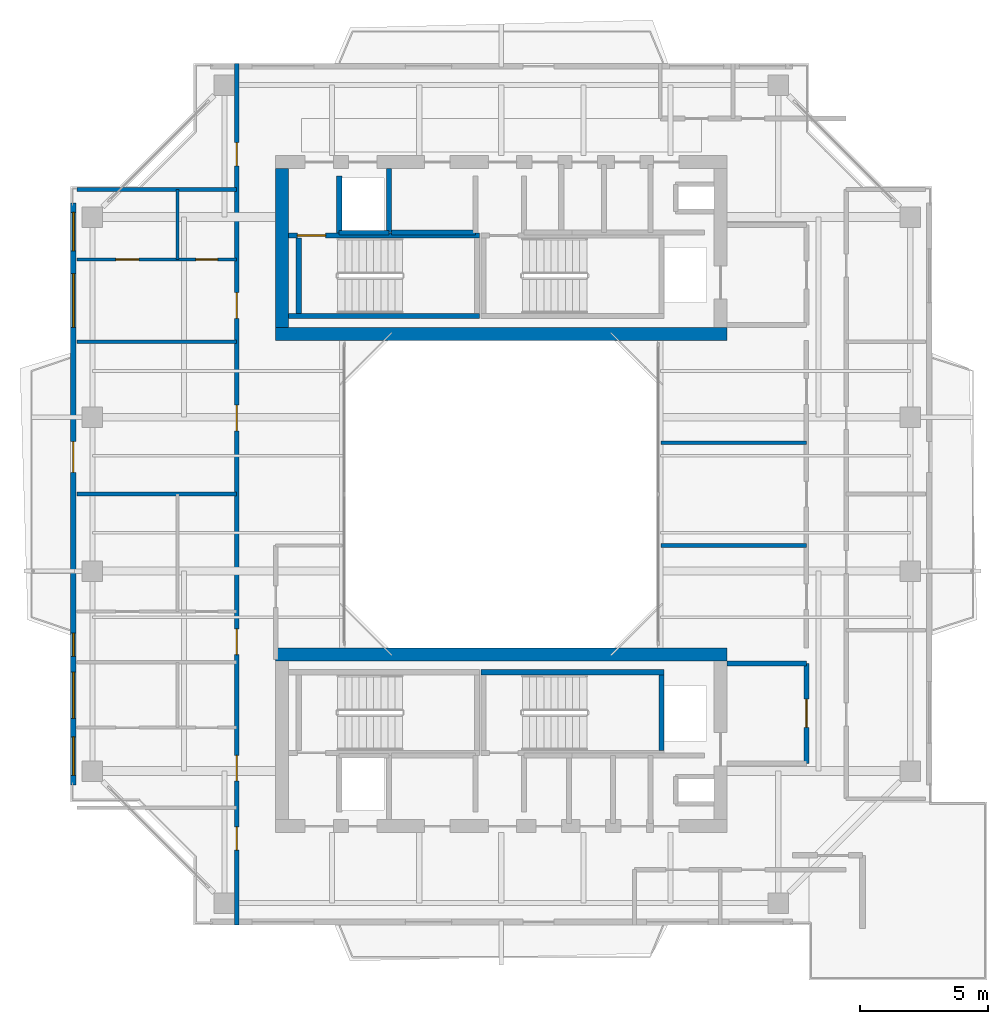
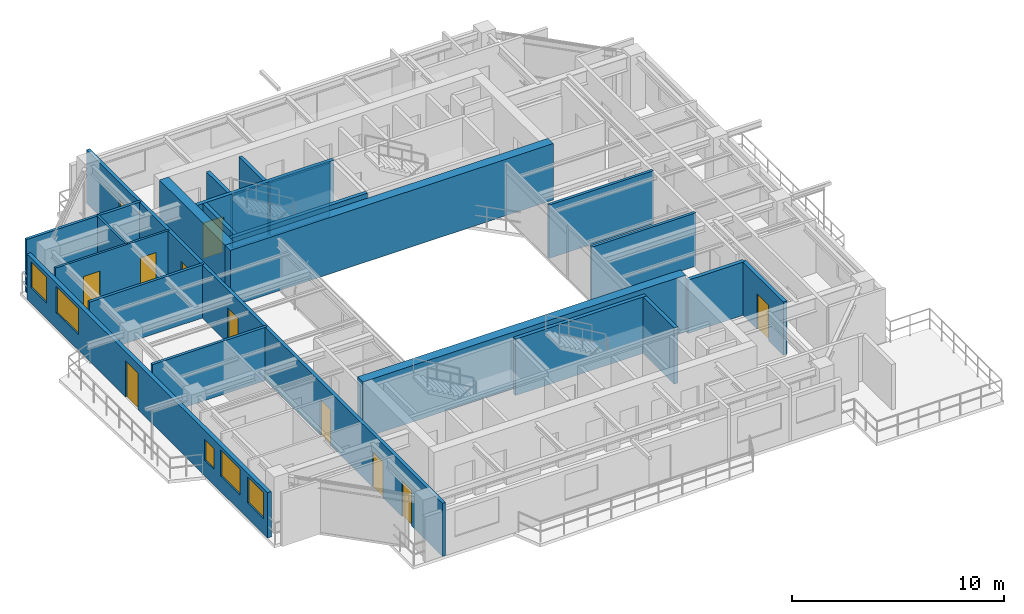
# One storey, part 11 of 15: 23 walls, 11 doors, 5 windows, 16 openings.
"""IFC4 building model written with IfcOpenShell, lengths in metres."""

from ifc_helpers import new_model, si_unit, direction, frame, frame_2d, origin, place, context, subcontext, project, spatial, rectangle, extrude, source, transform, mapped, material, layer, layer_set, type_object, element, fill, save


model = new_model("IFC4")

# Units and contexts
model_context = context("Model", 3, precision=1e-05, world=origin(), true_north=direction((0.0, 1.0)))
body_context = subcontext(model_context, "Body", "Model", "MODEL_VIEW")
ifc_project = project(units=[si_unit("LENGTHUNIT", "METRE"), si_unit("AREAUNIT", "SQUARE_METRE"), si_unit("VOLUMEUNIT", "CUBIC_METRE"), si_unit("PLANEANGLEUNIT", "RADIAN"), si_unit("MASSUNIT", "GRAM", prefix="KILO"), si_unit("THERMODYNAMICTEMPERATUREUNIT", "KELVIN"), si_unit("POWERUNIT", "WATT")], contexts=[model_context])

# Site, building, storey
site_placement = place(None, origin())
site = spatial("IfcSite", under=ifc_project, at=site_placement, CompositionType="ELEMENT")
building_placement = place(site_placement, origin())
building = spatial("IfcBuilding", under=site, at=building_placement, Name="Qiaomeng Ring Towers", CompositionType="ELEMENT")
storey_placement = place(building_placement, frame((0.0, 0.0, 213.25)))
storey = spatial("IfcBuildingStorey", under=building, at=storey_placement, Name="L62", CompositionType="ELEMENT", Elevation=213.25)

# Wall, openings, windows, door
ifc_material_1 = material(Name="Precast concrete C40", Category="concrete")
ifc_layer_1 = layer(ifc_material_1, 0.219970703125, Name="Precast concrete C40")
ifc_layer_set_1 = layer_set([ifc_layer_1], Name="Precast concrete C40")
wall_type_1 = type_object("IfcWallType", Name="ARC-WL-EW2", PredefinedType="STANDARD", material=ifc_layer_set_1)
wall_1_placement = place(storey_placement, frame((2.31005859375, 11.64990234375, 0.0), z_axis=(0.0, 0.0, 1.0), x_axis=(0.0, 1.0, 0.0)))
wall_1 = element("IfcWall", 1, at=wall_1_placement, inside=storey, type_object=wall_type_1, Name="L62 Tower 1 W Exterior Wall", PredefinedType="STANDARD", context=body_context, shape_type="SweptSolid", body=[
    extrude(rectangle(XDim=22.7001953125, YDim=0.219970703125, at=frame_2d((11.35009765625, 0.0))), origin(), (0.0, 0.0, 1.0), 2.610107421875),
])
opening_1_placement = place(wall_1_placement, frame((12.199951171875, 0.0, 0.0)))
opening_1 = element("IfcOpeningElement", 2, at=opening_1_placement, cuts=wall_1, Name="Opening BD1", PredefinedType="OPENING", context=body_context, shape_type="SweptSolid", body=[
    extrude(rectangle(XDim=1.199951171875, YDim=2.10009765625, at=frame_2d((0.60009765625, 1.050048828125))), frame((0.0, 0.119873046875, 0.0), z_axis=(0.0, -1.0, 0.0), x_axis=(1.0, 0.0, 0.0)), (0.0, 0.0, 1.0), 0.239990234375),
])
opening_2_placement = place(wall_1_placement, frame((2.607421875, 0.0, 0.89990234375)))
opening_2 = element("IfcOpeningElement", 3, at=opening_2_placement, cuts=wall_1, Name="Opening WN1", PredefinedType="OPENING", context=body_context, shape_type="SweptSolid", body=[
    extrude(rectangle(XDim=1.800048828125, YDim=1.5, at=frame_2d((0.89990234375, 0.75))), frame((0.0, 0.119873046875, 0.0), z_axis=(0.0, -1.0, 0.0), x_axis=(1.0, 0.0, 0.0)), (0.0, 0.0, 1.0), 0.239990234375),
])
opening_3_placement = place(wall_1_placement, frame((17.8525390625, 0.0, 0.89990234375)))
opening_3 = element("IfcOpeningElement", 4, at=opening_3_placement, cuts=wall_1, Name="Opening WN4", PredefinedType="OPENING", context=body_context, shape_type="SweptSolid", body=[
    extrude(rectangle(XDim=2.10009765625, YDim=1.5, at=frame_2d((1.050048828125, 0.75))), frame((0.0, 0.119873046875, 0.0), z_axis=(0.0, -1.0, 0.0), x_axis=(1.0, 0.0, 0.0)), (0.0, 0.0, 1.0), 0.239990234375),
])
opening_4_placement = place(wall_1_placement, frame((0.385009765625, 0.0, 0.89990234375)))
opening_4 = element("IfcOpeningElement", 5, at=opening_4_placement, cuts=wall_1, Name="Opening WN2", PredefinedType="OPENING", context=body_context, shape_type="SweptSolid", body=[
    extrude(rectangle(XDim=1.5, YDim=1.5, at=frame_2d((0.75, 0.75))), frame((0.0, 0.119873046875, 0.0), z_axis=(0.0, -1.0, 0.0), x_axis=(1.0, 0.0, 0.0)), (0.0, 0.0, 1.0), 0.239990234375),
])
opening_5_placement = place(wall_1_placement, frame((20.8349609375, 0.0, 0.89990234375)))
opening_5 = element("IfcOpeningElement", 6, at=opening_5_placement, cuts=wall_1, Name="Opening WN2", PredefinedType="OPENING", context=body_context, shape_type="SweptSolid", body=[
    extrude(rectangle(XDim=1.5, YDim=1.5, at=frame_2d((0.75, 0.75))), frame((0.0, 0.119873046875, 0.0), z_axis=(0.0, -1.0, 0.0), x_axis=(1.0, 0.0, 0.0)), (0.0, 0.0, 1.0), 0.239990234375),
])
opening_6_placement = place(wall_1_placement, frame((5.02490234375, 0.0, 0.89990234375)))
opening_6 = element("IfcOpeningElement", 7, at=opening_6_placement, cuts=wall_1, Name="Opening WN5", PredefinedType="OPENING", context=body_context, shape_type="SweptSolid", body=[
    extrude(rectangle(XDim=0.89990234375, YDim=1.199951171875, at=frame_2d((0.449951171875, 0.60009765625))), frame((0.0, 0.119873046875, 0.0), z_axis=(0.0, -1.0, 0.0), x_axis=(1.0, 0.0, 0.0)), (0.0, 0.0, 1.0), 0.239990234375),
])
ifc_material_2 = material(Name="Low-E dark-grey laminated double glazing", Category="glass")
window_type_1 = type_object("IfcWindowType", Name="ARC-WN-4", PartitioningType="TRIPLE_PANEL_VERTICAL", PredefinedType="WINDOW", material=ifc_material_2)
shared_shape_1 = source(origin(), body_context, "Body", "SweptSolid", [
    extrude(rectangle(XDim=2.10009765625, YDim=1.5, at=frame_2d((1.050048828125, 0.75))), frame((0.0, 0.030029296875, 0.0), z_axis=(0.0, -1.0, 0.0), x_axis=(1.0, 0.0, 0.0)), (0.0, 0.0, 1.0), 0.06005859375),
])
window_1_placement = place(opening_3_placement, origin())
window_1 = element("IfcWindow", 8, at=window_1_placement, inside=storey, type_object=window_type_1, Name="L62 Exterior Window WN4", OverallHeight=1.5, OverallWidth=2.10009765625, PartitioningType="TRIPLE_PANEL_VERTICAL", PredefinedType="WINDOW", context=body_context, shape_type="MappedRepresentation", body=[
    mapped(shared_shape_1, transform((0.0, 0.0, 0.0), x_axis=(1.0, 0.0, 0.0), y_axis=(0.0, 1.0, 0.0), z_axis=(0.0, 0.0, 1.0), scale=1.0)),
])
fill(opening_3, window_1)
door_type_1 = type_object("IfcDoorType", Name="ARC-DR-BD1", OperationType="NOTDEFINED", PredefinedType="DOOR", material=ifc_material_2)
shared_shape_2 = source(origin(), body_context, "Body", "SweptSolid", [
    extrude(rectangle(XDim=1.199951171875, YDim=2.10009765625, at=frame_2d((0.60009765625, 1.050048828125))), frame((0.0, 0.02490234375, 0.0), z_axis=(0.0, -1.0, 0.0), x_axis=(1.0, 0.0, 0.0)), (0.0, 0.0, 1.0), 0.050048828125),
])
door_1_placement = place(opening_1_placement, frame((1.199951171875, 0.0, 0.0), z_axis=(0.0, 0.0, 1.0), x_axis=(-1.0, 0.0, 0.0)))
door_1 = element("IfcDoor", 9, at=door_1_placement, inside=storey, type_object=door_type_1, Name="L62 W Balcony Glazed Door", OperationType="SINGLE_SWING_LEFT", OverallHeight=2.10009765625, OverallWidth=1.199951171875, PredefinedType="DOOR", context=body_context, shape_type="MappedRepresentation", body=[
    mapped(shared_shape_2, transform((0.0, 0.0, 0.0), x_axis=(1.0, 0.0, 0.0), y_axis=(0.0, 1.0, 0.0), z_axis=(0.0, 0.0, 1.0), scale=1.0)),
])
fill(opening_1, door_1)
window_type_2 = type_object("IfcWindowType", Name="ARC-WN-2", PartitioningType="DOUBLE_PANEL_VERTICAL", PredefinedType="WINDOW", material=ifc_material_2)
shared_shape_3 = source(origin(), body_context, "Body", "SweptSolid", [
    extrude(rectangle(XDim=1.5, YDim=1.5, at=frame_2d((0.75, 0.75))), frame((0.0, 0.030029296875, 0.0), z_axis=(0.0, -1.0, 0.0), x_axis=(1.0, 0.0, 0.0)), (0.0, 0.0, 1.0), 0.06005859375),
])
window_2_placement = place(opening_4_placement, origin())
window_2 = element("IfcWindow", 10, at=window_2_placement, inside=storey, type_object=window_type_2, Name="L62 Exterior Window WN2", OverallHeight=1.5, OverallWidth=1.5, PartitioningType="DOUBLE_PANEL_VERTICAL", PredefinedType="WINDOW", context=body_context, shape_type="MappedRepresentation", body=[
    mapped(shared_shape_3, transform((0.0, 0.0, 0.0), x_axis=(1.0, 0.0, 0.0), y_axis=(0.0, 1.0, 0.0), z_axis=(0.0, 0.0, 1.0), scale=1.0)),
])
fill(opening_4, window_2)
window_3_placement = place(opening_5_placement, origin())
window_3 = element("IfcWindow", 11, at=window_3_placement, inside=storey, type_object=window_type_2, Name="L62 Exterior Window WN2", OverallHeight=1.5, OverallWidth=1.5, PartitioningType="DOUBLE_PANEL_VERTICAL", PredefinedType="WINDOW", context=body_context, shape_type="MappedRepresentation", body=[
    mapped(shared_shape_3, transform((0.0, 0.0, 0.0), x_axis=(1.0, 0.0, 0.0), y_axis=(0.0, 1.0, 0.0), z_axis=(0.0, 0.0, 1.0), scale=1.0)),
])
fill(opening_5, window_3)
window_type_3 = type_object("IfcWindowType", Name="ARC-WN-1", PartitioningType="DOUBLE_PANEL_VERTICAL", PredefinedType="WINDOW", material=ifc_material_2)
shared_shape_4 = source(origin(), body_context, "Body", "SweptSolid", [
    extrude(rectangle(XDim=1.800048828125, YDim=1.5, at=frame_2d((0.89990234375, 0.75))), frame((0.0, 0.030029296875, 0.0), z_axis=(0.0, -1.0, 0.0), x_axis=(1.0, 0.0, 0.0)), (0.0, 0.0, 1.0), 0.06005859375),
])
window_4_placement = place(opening_2_placement, origin())
window_4 = element("IfcWindow", 12, at=window_4_placement, inside=storey, type_object=window_type_3, Name="L62 Exterior Window WN6", OverallHeight=1.5, OverallWidth=1.800048828125, PartitioningType="TRIPLE_PANEL_VERTICAL", PredefinedType="WINDOW", context=body_context, shape_type="MappedRepresentation", body=[
    mapped(shared_shape_4, transform((0.0, 0.0, 0.0), x_axis=(1.0, 0.0, 0.0), y_axis=(0.0, 1.0, 0.0), z_axis=(0.0, 0.0, 1.0), scale=1.0)),
])
fill(opening_2, window_4)
window_type_4 = type_object("IfcWindowType", Name="ARC-WN-5", PartitioningType="SINGLE_PANEL", PredefinedType="WINDOW", material=ifc_material_2)
shared_shape_5 = source(origin(), body_context, "Body", "SweptSolid", [
    extrude(rectangle(XDim=0.89990234375, YDim=1.199951171875, at=frame_2d((0.449951171875, 0.60009765625))), frame((0.0, 0.030029296875, 0.0), z_axis=(0.0, -1.0, 0.0), x_axis=(1.0, 0.0, 0.0)), (0.0, 0.0, 1.0), 0.06005859375),
])
window_5_placement = place(opening_6_placement, origin())
window_5 = element("IfcWindow", 13, at=window_5_placement, inside=storey, type_object=window_type_4, Name="L62 Exterior Window WN5", OverallHeight=1.199951171875, OverallWidth=0.89990234375, PartitioningType="SINGLE_PANEL", PredefinedType="WINDOW", context=body_context, shape_type="MappedRepresentation", body=[
    mapped(shared_shape_5, transform((0.0, 0.0, 0.0), x_axis=(1.0, 0.0, 0.0), y_axis=(0.0, 1.0, 0.0), z_axis=(0.0, 0.0, 1.0), scale=1.0)),
])
fill(opening_6, window_5)

# Wall
ifc_material_3 = material(Name="Autoclaved aerated concrete block", Category="concrete")
ifc_layer_2 = layer(ifc_material_3, 0.199951171875, Name="Autoclaved aerated concrete block")
ifc_layer_set_2 = layer_set([ifc_layer_2], Name="Autoclaved aerated concrete block")
wall_type_2 = type_object("IfcWallType", Name="ARC-WL-PW1", PredefinedType="PARTITIONING", material=ifc_layer_set_2)
wall_2_placement = place(storey_placement, frame((27.800048828125, 16.39990234375, 0.0), z_axis=(0.0, 0.0, 1.0), x_axis=(1.0, 0.0, 0.0)))
element("IfcWall", 14, at=wall_2_placement, inside=storey, type_object=wall_type_2, Name="L62 Interior Wall PW1", PredefinedType="PARTITIONING", context=body_context, shape_type="SweptSolid", body=[
    extrude(rectangle(XDim=3.099853515625, YDim=0.199951171875, at=frame_2d((1.5498046875, 0.0))), origin(), (0.0, 0.0, 1.0), 3.070068359375),
])

# Wall, opening, door
wall_3_placement = place(storey_placement, frame((30.89990234375, 12.5, 0.0), z_axis=(0.0, 0.0, 1.0), x_axis=(0.0, 1.0, 0.0)))
wall_3 = element("IfcWall", 15, at=wall_3_placement, inside=storey, type_object=wall_type_2, Name="L62 Interior Wall PW1", PredefinedType="PARTITIONING", context=body_context, shape_type="SweptSolid", body=[
    extrude(rectangle(XDim=3.89990234375, YDim=0.199951171875, at=frame_2d((1.949951171875, 0.0))), origin(), (0.0, 0.0, 1.0), 3.070068359375),
])
opening_7_placement = place(wall_3_placement, frame((1.39990234375, 0.0, 0.0)))
opening_7 = element("IfcOpeningElement", 16, at=opening_7_placement, cuts=wall_3, Name="Opening FD3", PredefinedType="OPENING", context=body_context, shape_type="SweptSolid", body=[
    extrude(rectangle(XDim=1.10009765625, YDim=2.050048828125, at=frame_2d((0.550048828125, 1.02490234375))), frame((0.0, 0.10986328125, 0.0), z_axis=(0.0, -1.0, 0.0), x_axis=(1.0, 0.0, 0.0)), (0.0, 0.0, 1.0), 0.219970703125),
])
ifc_material_4 = material(Name="Galvanised steel", Category="steel")
door_type_2 = type_object("IfcDoorType", Name="ARC-DR-FD3", OperationType="NOTDEFINED", PredefinedType="DOOR", material=ifc_material_4)
shared_shape_6 = source(origin(), body_context, "Body", "SweptSolid", [
    extrude(rectangle(XDim=1.10009765625, YDim=2.050048828125, at=frame_2d((0.550048828125, 1.02490234375))), frame((0.0, 0.02490234375, 0.0), z_axis=(0.0, -1.0, 0.0), x_axis=(1.0, 0.0, 0.0)), (0.0, 0.0, 1.0), 0.050048828125),
])
door_2_placement = place(opening_7_placement, origin())
door_2 = element("IfcDoor", 17, at=door_2_placement, inside=storey, type_object=door_type_2, Name="L62 South FF Lobby Door", OperationType="SINGLE_SWING_RIGHT", OverallHeight=2.050048828125, OverallWidth=1.10009765625, PredefinedType="DOOR", context=body_context, shape_type="MappedRepresentation", body=[
    mapped(shared_shape_6, transform((0.0, 0.0, 0.0), x_axis=(1.0, 0.0, 0.0), y_axis=(0.0, 1.0, 0.0), z_axis=(0.0, 0.0, 1.0), scale=1.0)),
])
fill(opening_7, door_2)

# Walls
wall_4_placement = place(storey_placement, frame((12.679931640625, 33.18994140625, 0.0), z_axis=(0.0, 0.0, 1.0), x_axis=(0.0, 1.0, 0.0)))
element("IfcWall", 18, at=wall_4_placement, inside=storey, type_object=wall_type_2, Name="L62 Interior Wall PW1", PredefinedType="PARTITIONING", context=body_context, shape_type="SweptSolid", body=[
    extrude(rectangle(XDim=2.2099609375, YDim=0.199951171875, at=frame_2d((1.10498046875, 0.0))), origin(), (0.0, 0.0, 1.0), 3.070068359375),
])
wall_5_placement = place(storey_placement, frame((14.719970703125, 33.199951171875, 0.0), z_axis=(0.0, 0.0, 1.0), x_axis=(1.0, 0.0, 0.0)))
element("IfcWall", 19, at=wall_5_placement, inside=storey, type_object=wall_type_2, Name="L62 Interior Wall PW1", PredefinedType="PARTITIONING", context=body_context, shape_type="SweptSolid", body=[
    extrude(rectangle(XDim=3.280029296875, YDim=0.199951171875, at=frame_2d((1.64013671875, 0.0))), origin(), (0.0, 0.0, 1.0), 3.070068359375),
])

# Wall, openings, doors
ifc_layer_3 = layer(ifc_material_3, 0.179931640625, Name="Autoclaved aerated concrete block")
ifc_layer_set_3 = layer_set([ifc_layer_3], Name="Autoclaved aerated concrete block")
wall_type_3 = type_object("IfcWallType", Name="ARC-WL-PW2", PredefinedType="PARTITIONING", material=ifc_layer_set_3)
wall_6_placement = place(storey_placement, frame((8.679931640625, 6.199951171875, 0.0), z_axis=(0.0, 0.0, 1.0), x_axis=(0.0, 1.0, 0.0)))
wall_6 = element("IfcWall", 20, at=wall_6_placement, inside=storey, type_object=wall_type_3, Name="L62 Interior Wall PW2", PredefinedType="PARTITIONING", context=body_context, shape_type="SweptSolid", body=[
    extrude(rectangle(XDim=33.60009765625, YDim=0.179931640625, at=frame_2d((16.800048828125, 0.0))), origin(), (0.0, 0.0, 1.0), 3.070068359375),
])
opening_8_placement = place(wall_6_placement, frame((29.60498046875, 0.0, 0.0)))
opening_8 = element("IfcOpeningElement", 21, at=opening_8_placement, cuts=wall_6, Name="Opening ID1", PredefinedType="OPENING", context=body_context, shape_type="SweptSolid", body=[
    extrude(rectangle(XDim=0.89990234375, YDim=2.050048828125, at=frame_2d((0.449951171875, 1.02490234375))), frame((0.0, 0.099853515625, 0.0), z_axis=(0.0, -1.0, 0.0), x_axis=(1.0, 0.0, 0.0)), (0.0, 0.0, 1.0), 0.199951171875),
])
opening_9_placement = place(wall_6_placement, frame((2.919921875, 0.0, 0.0)))
opening_9 = element("IfcOpeningElement", 22, at=opening_9_placement, cuts=wall_6, Name="Opening ID1", PredefinedType="OPENING", context=body_context, shape_type="SweptSolid", body=[
    extrude(rectangle(XDim=0.89990234375, YDim=2.050048828125, at=frame_2d((0.449951171875, 1.02490234375))), frame((0.0, 0.099853515625, 0.0), z_axis=(0.0, -1.0, 0.0), x_axis=(1.0, 0.0, 0.0)), (0.0, 0.0, 1.0), 0.199951171875),
])
opening_10_placement = place(wall_6_placement, frame((5.614990234375, 0.0, 0.0)))
opening_10 = element("IfcOpeningElement", 23, at=opening_10_placement, cuts=wall_6, Name="Opening FD4", PredefinedType="OPENING", context=body_context, shape_type="SweptSolid", body=[
    extrude(rectangle(XDim=1.0, YDim=2.050048828125, at=frame_2d((0.5, 1.02490234375))), frame((0.0, 0.099853515625, 0.0), z_axis=(0.0, -1.0, 0.0), x_axis=(1.0, 0.0, 0.0)), (0.0, 0.0, 1.0), 0.199951171875),
])
opening_11_placement = place(wall_6_placement, frame((10.5400390625, 0.0, 0.0)))
opening_11 = element("IfcOpeningElement", 24, at=opening_11_placement, cuts=wall_6, Name="Opening FD4", PredefinedType="OPENING", context=body_context, shape_type="SweptSolid", body=[
    extrude(rectangle(XDim=1.0, YDim=2.050048828125, at=frame_2d((0.5, 1.02490234375))), frame((0.0, 0.099853515625, 0.0), z_axis=(0.0, -1.0, 0.0), x_axis=(1.0, 0.0, 0.0)), (0.0, 0.0, 1.0), 0.199951171875),
])
opening_12_placement = place(wall_6_placement, frame((19.27001953125, 0.0, 0.0)))
opening_12 = element("IfcOpeningElement", 25, at=opening_12_placement, cuts=wall_6, Name="Opening FD4", PredefinedType="OPENING", context=body_context, shape_type="SweptSolid", body=[
    extrude(rectangle(XDim=1.0, YDim=2.050048828125, at=frame_2d((0.5, 1.02490234375))), frame((0.0, 0.099853515625, 0.0), z_axis=(0.0, -1.0, 0.0), x_axis=(1.0, 0.0, 0.0)), (0.0, 0.0, 1.0), 0.199951171875),
])
opening_13_placement = place(wall_6_placement, frame((23.655029296875, 0.0, 0.0)))
opening_13 = element("IfcOpeningElement", 26, at=opening_13_placement, cuts=wall_6, Name="Opening FD4", PredefinedType="OPENING", context=body_context, shape_type="SweptSolid", body=[
    extrude(rectangle(XDim=1.0, YDim=2.050048828125, at=frame_2d((0.5, 1.02490234375))), frame((0.0, 0.099853515625, 0.0), z_axis=(0.0, -1.0, 0.0), x_axis=(1.0, 0.0, 0.0)), (0.0, 0.0, 1.0), 0.199951171875),
])
ifc_material_5 = material(Name="Engineered fire-rated oak timber", Category="wood")
door_type_3 = type_object("IfcDoorType", Name="ARC-DR-FD4", OperationType="NOTDEFINED", PredefinedType="DOOR", material=ifc_material_5)
shared_shape_7 = source(origin(), body_context, "Body", "SweptSolid", [
    extrude(rectangle(XDim=1.0, YDim=2.050048828125, at=frame_2d((0.5, 1.02490234375))), frame((0.0, 0.02490234375, 0.0), z_axis=(0.0, -1.0, 0.0), x_axis=(1.0, 0.0, 0.0)), (0.0, 0.0, 1.0), 0.050048828125),
])
door_3_placement = place(opening_10_placement, origin())
door_3 = element("IfcDoor", 27, at=door_3_placement, inside=storey, type_object=door_type_3, Name="L62 Door FD4", OperationType="SINGLE_SWING_LEFT", OverallHeight=2.050048828125, OverallWidth=1.0, PredefinedType="DOOR", context=body_context, shape_type="MappedRepresentation", body=[
    mapped(shared_shape_7, transform((0.0, 0.0, 0.0), x_axis=(1.0, 0.0, 0.0), y_axis=(0.0, 1.0, 0.0), z_axis=(0.0, 0.0, 1.0), scale=1.0)),
])
fill(opening_10, door_3)
door_4_placement = place(opening_11_placement, origin())
door_4 = element("IfcDoor", 28, at=door_4_placement, inside=storey, type_object=door_type_3, Name="L62 Door FD4", OperationType="SINGLE_SWING_RIGHT", OverallHeight=2.050048828125, OverallWidth=1.0, PredefinedType="DOOR", context=body_context, shape_type="MappedRepresentation", body=[
    mapped(shared_shape_7, transform((0.0, 0.0, 0.0), x_axis=(1.0, 0.0, 0.0), y_axis=(0.0, 1.0, 0.0), z_axis=(0.0, 0.0, 1.0), scale=1.0)),
])
fill(opening_11, door_4)
door_5_placement = place(opening_12_placement, origin())
door_5 = element("IfcDoor", 29, at=door_5_placement, inside=storey, type_object=door_type_3, Name="L62 Door FD4", OperationType="SINGLE_SWING_LEFT", OverallHeight=2.050048828125, OverallWidth=1.0, PredefinedType="DOOR", context=body_context, shape_type="MappedRepresentation", body=[
    mapped(shared_shape_7, transform((0.0, 0.0, 0.0), x_axis=(1.0, 0.0, 0.0), y_axis=(0.0, 1.0, 0.0), z_axis=(0.0, 0.0, 1.0), scale=1.0)),
])
fill(opening_12, door_5)
door_6_placement = place(opening_13_placement, origin())
door_6 = element("IfcDoor", 30, at=door_6_placement, inside=storey, type_object=door_type_3, Name="L62 Door FD4", OperationType="SINGLE_SWING_RIGHT", OverallHeight=2.050048828125, OverallWidth=1.0, PredefinedType="DOOR", context=body_context, shape_type="MappedRepresentation", body=[
    mapped(shared_shape_7, transform((0.0, 0.0, 0.0), x_axis=(1.0, 0.0, 0.0), y_axis=(0.0, 1.0, 0.0), z_axis=(0.0, 0.0, 1.0), scale=1.0)),
])
fill(opening_13, door_6)
ifc_material_6 = material(Name="Engineered oak timber", Category="wood")
door_type_4 = type_object("IfcDoorType", Name="ARC-DR-ID1", OperationType="NOTDEFINED", PredefinedType="DOOR", material=ifc_material_6)
shared_shape_8 = source(origin(), body_context, "Body", "SweptSolid", [
    extrude(rectangle(XDim=0.89990234375, YDim=2.050048828125, at=frame_2d((0.449951171875, 1.02490234375))), frame((0.0, 0.02490234375, 0.0), z_axis=(0.0, -1.0, 0.0), x_axis=(1.0, 0.0, 0.0)), (0.0, 0.0, 1.0), 0.050048828125),
])
door_7_placement = place(opening_8_placement, origin())
door_7 = element("IfcDoor", 31, at=door_7_placement, inside=storey, type_object=door_type_4, Name="L62 Door ID1", OperationType="SINGLE_SWING_LEFT", OverallHeight=2.050048828125, OverallWidth=0.89990234375, PredefinedType="DOOR", context=body_context, shape_type="MappedRepresentation", body=[
    mapped(shared_shape_8, transform((0.0, 0.0, 0.0), x_axis=(1.0, 0.0, 0.0), y_axis=(0.0, 1.0, 0.0), z_axis=(0.0, 0.0, 1.0), scale=1.0)),
])
fill(opening_8, door_7)
door_8_placement = place(opening_9_placement, origin())
door_8 = element("IfcDoor", 32, at=door_8_placement, inside=storey, type_object=door_type_4, Name="L62 Door ID1", OperationType="SINGLE_SWING_RIGHT", OverallHeight=2.050048828125, OverallWidth=0.89990234375, PredefinedType="DOOR", context=body_context, shape_type="MappedRepresentation", body=[
    mapped(shared_shape_8, transform((0.0, 0.0, 0.0), x_axis=(1.0, 0.0, 0.0), y_axis=(0.0, 1.0, 0.0), z_axis=(0.0, 0.0, 1.0), scale=1.0)),
])
fill(opening_9, door_8)

# Walls
ifc_material_7 = material(Name="Gypsum fireboard steel-stud partition", Category="steel")
ifc_layer_4 = layer(ifc_material_7, 0.14990234375, Name="Gypsum fireboard steel-stud partition")
ifc_layer_set_4 = layer_set([ifc_layer_4], Name="Gypsum fireboard steel-stud partition")
wall_type_4 = type_object("IfcWallType", Name="ARC-WL-PW3", PredefinedType="PARTITIONING", material=ifc_layer_set_4)
for number, where, z_axis, x_axis, name in (
    (33, (2.449951171875, 34.8798828125, 0.0), (0.0, 0.0, 1.0), (1.0, 0.0, 0.0), "L62 Interior Wall PW3"),
    (34, (2.449951171875, 23.0, 0.0), (0.0, 0.0, 1.0), (1.0, 0.0, 0.0), "L62 Interior Wall PW3"),
    (35, (2.449951171875, 28.93994140625, 0.0), (0.0, 0.0, 1.0), (1.0, 0.0, 0.0), "L62 Interior Wall PW3"),
):
    element("IfcWall", number, at=place(storey_placement, frame(where, z_axis=z_axis, x_axis=x_axis)), inside=storey, type_object=wall_type_4, Name=name, PredefinedType="PARTITIONING", context=body_context, shape_type="SweptSolid", body=[
        extrude(rectangle(XDim=6.22998046875, YDim=0.14990234375, at=frame_2d((3.114990234375, 0.0))), origin(), (0.0, 0.0, 1.0), 3.070068359375),
    ])
for number, where, z_axis, x_axis, name in (
    (36, (25.219970703125, 21.0, 0.0), (0.0, 0.0, 1.0), (1.0, 0.0, 0.0), "L62 Interior Wall PW3"),
    (37, (25.219970703125, 25.0, 0.0), (0.0, 0.0, 1.0), (1.0, 0.0, 0.0), "L62 Interior Wall PW3"),
):
    element("IfcWall", number, at=place(storey_placement, frame(where, z_axis=z_axis, x_axis=x_axis)), inside=storey, type_object=wall_type_4, Name=name, PredefinedType="PARTITIONING", context=body_context, shape_type="SweptSolid", body=[
        extrude(rectangle(XDim=5.679931640625, YDim=0.14990234375, at=frame_2d((2.83984375, 0.0))), origin(), (0.0, 0.0, 1.0), 3.070068359375),
    ])

# Wall, openings, doors
ifc_material_8 = material(Name="Moisture-resistant gypsum steel-stud partition", Category="steel")
ifc_layer_5 = layer(ifc_material_8, 0.1201171875, Name="Moisture-resistant gypsum steel-stud partition")
ifc_layer_set_5 = layer_set([ifc_layer_5], Name="Moisture-resistant gypsum steel-stud partition")
wall_type_5 = type_object("IfcWallType", Name="ARC-WL-PW4", PredefinedType="PLUMBINGWALL", material=ifc_layer_set_5)
wall_7_placement = place(storey_placement, frame((2.449951171875, 32.14990234375, 0.0), z_axis=(0.0, 0.0, 1.0), x_axis=(1.0, 0.0, 0.0)))
wall_7 = element("IfcWall", 38, at=wall_7_placement, inside=storey, type_object=wall_type_5, Name="L62 Interior Wall PW4", PredefinedType="PLUMBINGWALL", context=body_context, shape_type="SweptSolid", body=[
    extrude(rectangle(XDim=6.22998046875, YDim=0.1201171875, at=frame_2d((3.114990234375, 0.0))), origin(), (0.0, 0.0, 1.0), 3.070068359375),
])
opening_14_placement = place(wall_7_placement, frame((1.52001953125, 0.0, 0.0)))
opening_14 = element("IfcOpeningElement", 39, at=opening_14_placement, cuts=wall_7, Name="Opening ID1", PredefinedType="OPENING", context=body_context, shape_type="SweptSolid", body=[
    extrude(rectangle(XDim=0.89990234375, YDim=2.050048828125, at=frame_2d((0.449951171875, 1.02490234375))), frame((0.0, 0.070068359375, 0.0), z_axis=(0.0, -1.0, 0.0), x_axis=(1.0, 0.0, 0.0)), (0.0, 0.0, 1.0), 0.14013671875),
])
opening_15_placement = place(wall_7_placement, frame((4.639892578125, 0.0, 0.0)))
opening_15 = element("IfcOpeningElement", 40, at=opening_15_placement, cuts=wall_7, Name="Opening ID2", PredefinedType="OPENING", context=body_context, shape_type="SweptSolid", body=[
    extrude(rectangle(XDim=0.85009765625, YDim=2.050048828125, at=frame_2d((0.425048828125, 1.02490234375))), frame((0.0, 0.070068359375, 0.0), z_axis=(0.0, -1.0, 0.0), x_axis=(1.0, 0.0, 0.0)), (0.0, 0.0, 1.0), 0.14013671875),
])
ifc_material_9 = material(Name="Moisture-resistant engineered timber", Category="wood")
door_type_5 = type_object("IfcDoorType", Name="ARC-DR-ID2", OperationType="NOTDEFINED", PredefinedType="DOOR", material=ifc_material_9)
shared_shape_9 = source(origin(), body_context, "Body", "SweptSolid", [
    extrude(rectangle(XDim=0.85009765625, YDim=2.050048828125, at=frame_2d((0.425048828125, 1.02490234375))), frame((0.0, 0.02490234375, 0.0), z_axis=(0.0, -1.0, 0.0), x_axis=(1.0, 0.0, 0.0)), (0.0, 0.0, 1.0), 0.050048828125),
])
door_9_placement = place(opening_15_placement, origin())
door_9 = element("IfcDoor", 41, at=door_9_placement, inside=storey, type_object=door_type_5, Name="L62 Door ID2", OperationType="SINGLE_SWING_LEFT", OverallHeight=2.050048828125, OverallWidth=0.85009765625, PredefinedType="DOOR", context=body_context, shape_type="MappedRepresentation", body=[
    mapped(shared_shape_9, transform((0.0, 0.0, 0.0), x_axis=(1.0, 0.0, 0.0), y_axis=(0.0, 1.0, 0.0), z_axis=(0.0, 0.0, 1.0), scale=1.0)),
])
fill(opening_15, door_9)
door_10_placement = place(opening_14_placement, origin())
door_10 = element("IfcDoor", 42, at=door_10_placement, inside=storey, type_object=door_type_4, Name="L62 Door ID1", OperationType="SINGLE_SWING_RIGHT", OverallHeight=2.050048828125, OverallWidth=0.89990234375, PredefinedType="DOOR", context=body_context, shape_type="MappedRepresentation", body=[
    mapped(shared_shape_8, transform((0.0, 0.0, 0.0), x_axis=(1.0, 0.0, 0.0), y_axis=(0.0, 1.0, 0.0), z_axis=(0.0, 0.0, 1.0), scale=1.0)),
])
fill(opening_14, door_10)

# Walls
wall_8_placement = place(storey_placement, frame((6.3701171875, 32.14990234375, 0.0), z_axis=(0.0, 0.0, 1.0), x_axis=(0.0, 1.0, 0.0)))
element("IfcWall", 43, at=wall_8_placement, inside=storey, type_object=wall_type_5, Name="L62 Interior Wall PW4", PredefinedType="PLUMBINGWALL", context=body_context, shape_type="SweptSolid", body=[
    extrude(rectangle(XDim=2.72998046875, YDim=0.1201171875, at=frame_2d((1.364990234375, 0.0))), origin(), (0.0, 0.0, 1.0), 3.070068359375),
])
ifc_material_10 = material(Name="Concrete C40", Category="concrete")
ifc_layer_6 = layer(ifc_material_10, 0.199951171875, Name="Concrete C40")
ifc_layer_set_6 = layer_set([ifc_layer_6], Name="Concrete C40")
wall_type_6 = type_object("IfcWallType", Name="STR-WL-STSHAFT", PredefinedType="SHEAR", material=ifc_layer_set_6)
wall_9_placement = place(storey_placement, frame((12.679931640625, 33.199951171875, 0.0), z_axis=(0.0, 0.0, 1.0), x_axis=(1.0, 0.0, 0.0)))
element("IfcWall", 44, at=wall_9_placement, inside=storey, type_object=wall_type_6, Name="L62 Lift LP5 Shaft Back Wall", PredefinedType="SHEAR", context=body_context, shape_type="SweptSolid", body=[
    extrude(rectangle(XDim=1.940185546875, YDim=0.179931640625, at=frame_2d((0.97021484375, 0.0))), origin(), (0.0, 0.0, 1.0), 3.070068359375),
])
wall_10_placement = place(storey_placement, frame((14.6201171875, 33.199951171875, 0.0), z_axis=(0.0, 0.0, 1.0), x_axis=(0.0, 1.0, 0.0)))
element("IfcWall", 45, at=wall_10_placement, inside=storey, type_object=wall_type_6, Name="L62 Lift LP5-LP3 Shaft Divider Wall", PredefinedType="SHEAR", context=body_context, shape_type="SweptSolid", body=[
    extrude(rectangle(XDim=2.5, YDim=0.179931640625, at=frame_2d((1.25, 0.0))), origin(), (0.0, 0.0, 1.0), 3.070068359375),
])
wall_11_placement = place(storey_placement, frame((10.699951171875, 29.949951171875, 0.0), z_axis=(0.0, 0.0, 1.0), x_axis=(1.0, 0.0, 0.0)))
element("IfcWall", 46, at=wall_11_placement, inside=storey, type_object=wall_type_6, Name="L62 Stair ST1 South Shaft Shear Wall", PredefinedType="SHEAR", context=body_context, shape_type="SweptSolid", body=[
    extrude(rectangle(XDim=7.449951171875, YDim=0.199951171875, at=frame_2d((3.72509765625, 0.0))), origin(), (0.0, 0.0, 1.0), 3.25),
])

# Wall, opening, door
wall_12_placement = place(storey_placement, frame((10.699951171875, 33.090087890625, 0.0), z_axis=(0.0, 0.0, 1.0), x_axis=(1.0, 0.0, 0.0)))
wall_12 = element("IfcWall", 47, at=wall_12_placement, inside=storey, type_object=wall_type_6, Name="L62 Stair ST1 North Shaft Shear Wall", PredefinedType="SHEAR", context=body_context, shape_type="SweptSolid", body=[
    extrude(rectangle(XDim=7.449951171875, YDim=0.199951171875, at=frame_2d((3.72509765625, 0.0))), origin(), (0.0, 0.0, 1.0), 3.25),
])
opening_16_placement = place(wall_12_placement, frame((0.35009765625, 0.0, 0.0)))
opening_16 = element("IfcOpeningElement", 48, at=opening_16_placement, cuts=wall_12, Name="Opening FD3", PredefinedType="OPENING", context=body_context, shape_type="SweptSolid", body=[
    extrude(rectangle(XDim=1.10009765625, YDim=2.050048828125, at=frame_2d((0.550048828125, 1.02490234375))), frame((0.0, 0.10986328125, 0.0), z_axis=(0.0, -1.0, 0.0), x_axis=(1.0, 0.0, 0.0)), (0.0, 0.0, 1.0), 0.219970703125),
])
door_11_placement = place(opening_16_placement, origin())
door_11 = element("IfcDoor", 49, at=door_11_placement, inside=storey, type_object=door_type_2, Name="L62 Stair ST1 Exit Door", OperationType="SINGLE_SWING_RIGHT", OverallHeight=2.050048828125, OverallWidth=1.10009765625, PredefinedType="DOOR", context=body_context, shape_type="MappedRepresentation", body=[
    mapped(shared_shape_6, transform((0.0, 0.0, 0.0), x_axis=(1.0, 0.0, 0.0), y_axis=(0.0, 1.0, 0.0), z_axis=(0.0, 0.0, 1.0), scale=1.0)),
])
fill(opening_16, door_11)

# Walls
wall_13_placement = place(storey_placement, frame((11.10009765625, 30.050048828125, 0.0), z_axis=(0.0, 0.0, 1.0), x_axis=(0.0, 1.0, 0.0)))
element("IfcWall", 50, at=wall_13_placement, inside=storey, type_object=wall_type_6, Name="L62 Stair ST1 West Shaft Shear Wall", PredefinedType="SHEAR", context=body_context, shape_type="SweptSolid", body=[
    extrude(rectangle(XDim=2.93994140625, YDim=0.199951171875, at=frame_2d((1.469970703125, 0.0))), origin(), (0.0, 0.0, 1.0), 3.25),
])
wall_14_placement = place(storey_placement, frame((18.199951171875, 16.050048828125, 0.0), z_axis=(0.0, 0.0, 1.0), x_axis=(1.0, 0.0, 0.0)))
element("IfcWall", 51, at=wall_14_placement, inside=storey, type_object=wall_type_6, Name="L62 Stair ST4 North Shaft Shear Wall", PredefinedType="SHEAR", context=body_context, shape_type="SweptSolid", body=[
    extrude(rectangle(XDim=7.150146484375, YDim=0.199951171875, at=frame_2d((3.5751953125, 0.0))), origin(), (0.0, 0.0, 1.0), 3.25),
])
wall_15_placement = place(storey_placement, frame((25.25, 13.010009765625, 0.0), z_axis=(0.0, 0.0, 1.0), x_axis=(0.0, 1.0, 0.0)))
element("IfcWall", 52, at=wall_15_placement, inside=storey, type_object=wall_type_6, Name="L62 Stair ST4 East Shaft Shear Wall", PredefinedType="SHEAR", context=body_context, shape_type="SweptSolid", body=[
    extrude(rectangle(XDim=2.93994140625, YDim=0.199951171875, at=frame_2d((1.469970703125, 0.0))), origin(), (0.0, 0.0, 1.0), 3.25),
])
ifc_layer_7 = layer(ifc_material_10, 0.5, Name="Concrete C40")
ifc_layer_set_7 = layer_set([ifc_layer_7], Name="Concrete C40")
wall_type_7 = type_object("IfcWallType", Name="STR-WL-SW3", PredefinedType="SHEAR", material=ifc_layer_set_7)
wall_16_placement = place(storey_placement, frame((10.199951171875, 29.25, 0.0), z_axis=(0.0, 0.0, 1.0), x_axis=(1.0, 0.0, 0.0)))
element("IfcWall", 53, at=wall_16_placement, inside=storey, type_object=wall_type_7, Name="L62 T1NC south core shear wall", PredefinedType="SHEAR", context=body_context, shape_type="SweptSolid", body=[
    extrude(rectangle(XDim=17.60009765625, YDim=0.5, at=frame_2d((8.800048828125, 0.0))), origin(), (0.0, 0.0, 1.0), 3.25),
])
wall_17_placement = place(storey_placement, frame((10.449951171875, 29.5, 0.0), z_axis=(0.0, 0.0, 1.0), x_axis=(0.0, 1.0, 0.0)))
element("IfcWall", 54, at=wall_17_placement, inside=storey, type_object=wall_type_7, Name="L62 T1NC west core shear wall", PredefinedType="SHEAR", context=body_context, shape_type="SweptSolid", body=[
    extrude(rectangle(XDim=6.199951171875, YDim=0.5, at=frame_2d((3.10009765625, 0.0))), origin(), (0.0, 0.0, 1.0), 3.25),
])
wall_18_placement = place(storey_placement, frame((10.199951171875, 16.75, 0.0), z_axis=(0.0, 0.0, 1.0), x_axis=(1.0, 0.0, 0.0)))
element("IfcWall", 55, at=wall_18_placement, inside=storey, type_object=wall_type_7, Name="L62 T1SC north core shear wall", PredefinedType="SHEAR", context=body_context, shape_type="SweptSolid", body=[
    extrude(rectangle(XDim=17.60009765625, YDim=0.5, at=frame_2d((8.800048828125, 0.0))), origin(), (0.0, 0.0, 1.0), 3.25),
])

save(model, "model.ifc")
